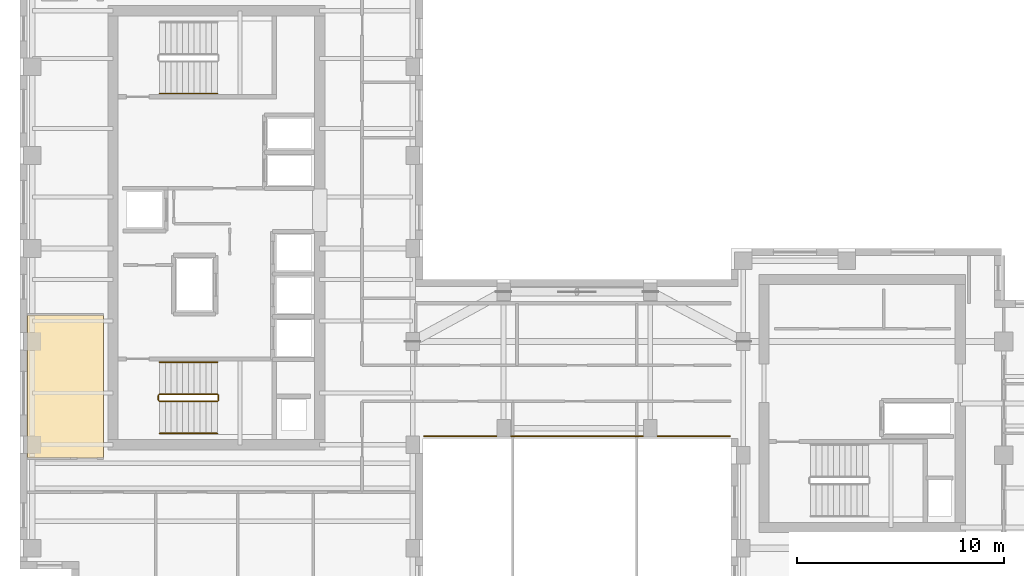
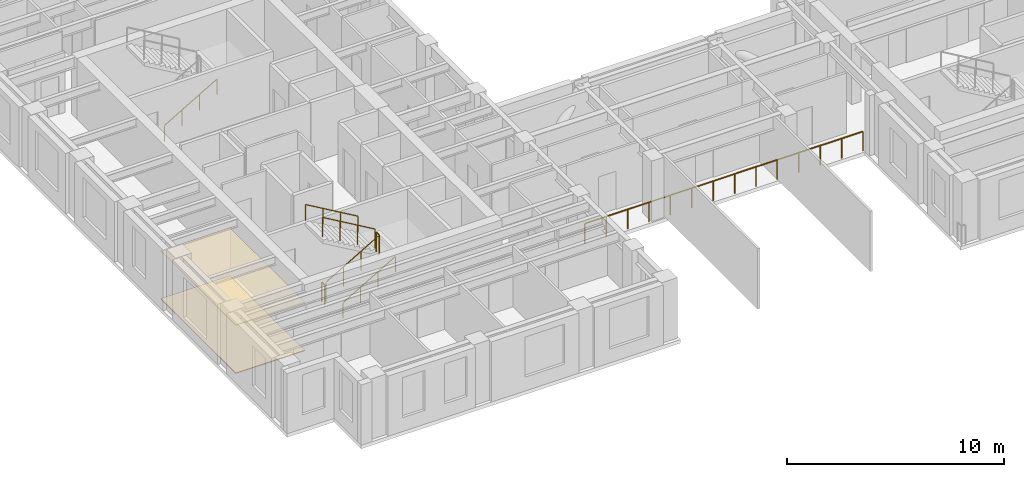
# One storey, part 12 of 14: 8 railings, 2 coverings.
"""IFC4 building model written with IfcOpenShell, lengths in metres."""

from ifc_helpers import new_model, si_unit, direction, frame, origin, origin_2d, place, context, subcontext, project, spatial, polyline, circle, outline, extrude, source, transform, mapped, material, layer, layer_set, type_object, element, save


model = new_model("IFC4")

# Units and contexts
model_context = context("Model", 3, precision=1e-05, world=origin(), true_north=direction((0.0, 1.0)))
body_context = subcontext(model_context, "Body", "Model", "MODEL_VIEW")
ifc_project = project(units=[si_unit("LENGTHUNIT", "METRE"), si_unit("AREAUNIT", "SQUARE_METRE"), si_unit("VOLUMEUNIT", "CUBIC_METRE"), si_unit("PLANEANGLEUNIT", "RADIAN"), si_unit("MASSUNIT", "GRAM", prefix="KILO")], contexts=[model_context])

# Site, building, storey
site_placement = place(None, origin())
site = spatial("IfcSite", under=ifc_project, at=site_placement, CompositionType="ELEMENT")
building_placement = place(site_placement, origin())
building = spatial("IfcBuilding", under=site, at=building_placement, Name="Kharzan Plaza Tower", CompositionType="ELEMENT")
storey_placement = place(building_placement, frame((0.0, 0.0, 241.199951171875)))
storey = spatial("IfcBuildingStorey", under=building, at=storey_placement, Name="L65", CompositionType="ELEMENT", Elevation=241.199951171875)

# Coverings
ifc_material_1 = material(Name="Perforated Acoustic Mineral-Fibre Tile", Category="gypsum")
ifc_layer_1 = layer(ifc_material_1, 0.044921875)
ifc_layer_set_1 = layer_set([ifc_layer_1], Name="Perforated Acoustic Mineral-Fibre Tile")
covering_type_1 = type_object("IfcCoveringType", Name="COV-CEIL-ACT", PredefinedType="CEILING", material=ifc_layer_set_1)
covering_1_placement = place(storey_placement, frame((0.0, 0.0, 2.705078125)))
element("IfcCovering", 1, at=covering_1_placement, inside=storey, type_object=covering_type_1, Name="L65 Suspended Acoustic Ceiling RW1", PredefinedType="CEILING", context=body_context, shape_type="SweptSolid", body=[
    extrude(outline(polyline([(0.360107421875, 7.860107421875), (4.0400390625, 7.860107421875), (4.0400390625, 14.7900390625), (0.360107421875, 14.7900390625), (0.360107421875, 7.860107421875)])), origin(), (0.0, 0.0, 1.0), 0.044921875),
])
ifc_material_2 = material(Name="Honed Najran Granite Terrazzo", Category="masonry")
ifc_layer_2 = layer(ifc_material_2, 0.0400390625)
ifc_layer_set_2 = layer_set([ifc_layer_2], Name="Honed Najran Granite Terrazzo")
covering_type_2 = type_object("IfcCoveringType", Name="COV-FLOOR-STN", PredefinedType="FLOORING", material=ifc_layer_set_2)
covering_2_placement = place(storey_placement, origin())
element("IfcCovering", 2, at=covering_2_placement, inside=storey, type_object=covering_type_2, Name="L65 Honed Granite Terrazzo Flooring RW1", PredefinedType="FLOORING", context=body_context, shape_type="SweptSolid", body=[
    extrude(outline(polyline([(0.360107421875, 7.860107421875), (4.0400390625, 7.860107421875), (4.0400390625, 14.7900390625), (0.360107421875, 14.7900390625), (0.360107421875, 7.860107421875)])), origin(), (0.0, 0.0, 1.0), 0.0400390625),
])

# Railings
ifc_material_3 = material(Name="Painted Galvanized Architectural Steel", Category="steel")
ifc_layer_3 = layer(ifc_material_3, 0.074951171875)
ifc_layer_set_3 = layer_set([ifc_layer_3], Name="Painted Galvanized Architectural Steel")
railing_type_1 = type_object("IfcRailingType", Name="RL-GUARD-1120", PredefinedType="BALUSTRADE", material=ifc_layer_set_3)
shared_shape_1 = source(origin(), body_context, "Body", "SweptSolid", [
    extrude(circle(Radius=0.02392578125, at=origin_2d()), frame((0.0, 0.0263671875, 1.09619140625), z_axis=(0.0, 1.0, 0.0), x_axis=(-1.0, 0.0, 0.0)), (0.0, 0.0, 1.0), 0.197021484375),
    extrude(circle(Radius=0.02099609375, at=origin_2d()), origin(), (0.0, 0.0, 1.0), 1.072021484375),
    extrude(circle(Radius=0.02099609375, at=origin_2d()), frame((0.0, 0.25, 0.0)), (0.0, 0.0, 1.0), 1.072021484375),
])
for number, where, name in (
    (3, (9.60009765625, 10.64990234375, 1.800048828125), "L65 ST-1 stair guard 2"),
    (4, (6.699951171875, 10.64990234375, 0.0), "L65 ST-1 stair guard 4"),
):
    element("IfcRailing", number, at=place(storey_placement, frame(where)), inside=storey, type_object=railing_type_1, Name=name, PredefinedType="BALUSTRADE", context=body_context, shape_type="MappedRepresentation", body=[
        mapped(shared_shape_1, transform((0.0, 0.0, 0.0), x_axis=(1.0, 0.0, 0.0), y_axis=(0.0, 1.0, 0.0), z_axis=(0.0, 0.0, 1.0))),
    ])
shared_shape_2 = source(origin(), body_context, "Body", "SweptSolid", [
    extrude(circle(Radius=0.02392578125, at=origin_2d()), frame((0.02294921875, 0.0, 1.109375), z_axis=(0.863360870873, 0.0, 0.504586966384), x_axis=(0.0, 1.0, 0.0)), (0.0, 0.0, 1.0), 3.190185546875),
    extrude(circle(Radius=0.02099609375, at=origin_2d()), origin(), (0.0, 0.0, 1.0), 1.072021484375),
    extrude(circle(Radius=0.02099609375, at=origin_2d()), frame((0.933349609375, 0.0, 0.54541015625)), (0.0, 0.0, 1.0), 1.072021484375),
    extrude(circle(Radius=0.02099609375, at=origin_2d()), frame((1.86669921875, 0.0, 1.091064453125)), (0.0, 0.0, 1.0), 1.072021484375),
    extrude(circle(Radius=0.02099609375, at=origin_2d()), frame((2.800048828125, 0.0, 1.636474609375)), (0.0, 0.0, 1.0), 1.072021484375),
])
railing_1_placement = place(storey_placement, frame((6.75, 10.60009765625, 0.16357421875)))
element("IfcRailing", 5, at=railing_1_placement, inside=storey, type_object=railing_type_1, Name="L65 ST-1 stair guard 1", PredefinedType="BALUSTRADE", context=body_context, shape_type="MappedRepresentation", body=[
    mapped(shared_shape_2, transform((0.0, 0.0, 0.0), x_axis=(1.0, 0.0, 0.0), y_axis=(0.0, 1.0, 0.0), z_axis=(0.0, 0.0, 1.0))),
])
shared_shape_3 = source(origin(), body_context, "Body", "SweptSolid", [
    extrude(circle(Radius=0.02392578125, at=origin_2d()), frame((-0.02294921875, 0.0, 1.109375), z_axis=(-0.863360870873, 0.0, 0.504586966384), x_axis=(0.0, -1.0, 0.0)), (0.0, 0.0, 1.0), 3.190185546875),
    extrude(circle(Radius=0.02099609375, at=origin_2d()), origin(), (0.0, 0.0, 1.0), 1.072021484375),
    extrude(circle(Radius=0.02099609375, at=origin_2d()), frame((-0.933349609375, 0.0, 0.54541015625)), (0.0, 0.0, 1.0), 1.072021484375),
    extrude(circle(Radius=0.02099609375, at=origin_2d()), frame((-1.86669921875, 0.0, 1.091064453125)), (0.0, 0.0, 1.0), 1.072021484375),
    extrude(circle(Radius=0.02099609375, at=origin_2d()), frame((-2.800048828125, 0.0, 1.636474609375)), (0.0, 0.0, 1.0), 1.072021484375),
])
railing_2_placement = place(storey_placement, frame((9.550048828125, 10.949951171875, 1.963623046875)))
element("IfcRailing", 6, at=railing_2_placement, inside=storey, type_object=railing_type_1, Name="L65 ST-1 stair guard 3", PredefinedType="BALUSTRADE", context=body_context, shape_type="MappedRepresentation", body=[
    mapped(shared_shape_3, transform((0.0, 0.0, 0.0), x_axis=(1.0, 0.0, 0.0), y_axis=(0.0, 1.0, 0.0), z_axis=(0.0, 0.0, 1.0))),
])
ifc_material_4 = material(Name="Brushed Stainless Steel", Category="steel")
ifc_layer_4 = layer(ifc_material_4, 0.050048828125)
ifc_layer_set_4 = layer_set([ifc_layer_4], Name="Brushed Stainless Steel")
railing_type_2 = type_object("IfcRailingType", Name="RL-STAIR-HR920", PredefinedType="HANDRAIL", material=ifc_layer_set_4)
shared_shape_4 = source(origin(), body_context, "Body", "SweptSolid", [
    extrude(circle(Radius=0.02392578125, at=origin_2d()), frame((0.02294921875, 0.0, 0.88916015625), z_axis=(0.863360870873, 0.0, 0.504586966384), x_axis=(0.0, 1.0, 0.0)), (0.0, 0.0, 1.0), 3.190185546875),
    extrude(circle(Radius=0.02099609375, at=origin_2d()), origin(), (0.0, 0.0, 1.0), 0.851806640625),
    extrude(circle(Radius=0.02099609375, at=origin_2d()), frame((0.933349609375, 0.0, 0.54541015625)), (0.0, 0.0, 1.0), 0.851806640625),
    extrude(circle(Radius=0.02099609375, at=origin_2d()), frame((1.86669921875, 0.0, 1.091064453125)), (0.0, 0.0, 1.0), 0.851806640625),
    extrude(circle(Radius=0.02099609375, at=origin_2d()), frame((2.800048828125, 0.0, 1.636474609375)), (0.0, 0.0, 1.0), 0.851806640625),
])
for number, where, name in (
    (7, (6.75, 9.050048828125, 0.16357421875), "L65 ST-1 stair handrail 1"),
    (8, (6.75, 25.5, 0.16357421875), "L65 ST-2 stair handrail 1"),
):
    element("IfcRailing", number, at=place(storey_placement, frame(where)), inside=storey, type_object=railing_type_2, Name=name, PredefinedType="HANDRAIL", context=body_context, shape_type="MappedRepresentation", body=[
        mapped(shared_shape_4, transform((0.0, 0.0, 0.0), x_axis=(1.0, 0.0, 0.0), y_axis=(0.0, 1.0, 0.0), z_axis=(0.0, 0.0, 1.0))),
    ])
shared_shape_5 = source(origin(), body_context, "Body", "SweptSolid", [
    extrude(circle(Radius=0.02392578125, at=origin_2d()), frame((-0.02294921875, 0.0, 0.88916015625), z_axis=(-0.863360870873, 0.0, 0.504586966384), x_axis=(0.0, -1.0, 0.0)), (0.0, 0.0, 1.0), 3.190185546875),
    extrude(circle(Radius=0.02099609375, at=origin_2d()), origin(), (0.0, 0.0, 1.0), 0.851806640625),
    extrude(circle(Radius=0.02099609375, at=origin_2d()), frame((-0.933349609375, 0.0, 0.54541015625)), (0.0, 0.0, 1.0), 0.851806640625),
    extrude(circle(Radius=0.02099609375, at=origin_2d()), frame((-1.86669921875, 0.0, 1.091064453125)), (0.0, 0.0, 1.0), 0.851806640625),
    extrude(circle(Radius=0.02099609375, at=origin_2d()), frame((-2.800048828125, 0.0, 1.636474609375)), (0.0, 0.0, 1.0), 0.851806640625),
])
railing_3_placement = place(storey_placement, frame((9.550048828125, 12.5, 1.963623046875)))
element("IfcRailing", 9, at=railing_3_placement, inside=storey, type_object=railing_type_2, Name="L65 ST-1 stair handrail 2", PredefinedType="HANDRAIL", context=body_context, shape_type="MappedRepresentation", body=[
    mapped(shared_shape_5, transform((0.0, 0.0, 0.0), x_axis=(1.0, 0.0, 0.0), y_axis=(0.0, 1.0, 0.0), z_axis=(0.0, 0.0, 1.0))),
])
shared_shape_6 = source(origin(), body_context, "Body", "SweptSolid", [
    extrude(circle(Radius=0.02392578125, at=origin_2d()), frame((0.0263671875, 0.0, 1.09619140625), z_axis=(1.0, 0.0, 0.0), x_axis=(0.0, 1.0, 0.0)), (0.0, 0.0, 1.0), 14.7470703125),
    extrude(circle(Radius=0.02099609375, at=origin_2d()), origin(), (0.0, 0.0, 1.0), 1.072021484375),
    extrude(circle(Radius=0.02099609375, at=origin_2d()), frame((1.138427734375, 0.0, 0.0)), (0.0, 0.0, 1.0), 1.072021484375),
    extrude(circle(Radius=0.02099609375, at=origin_2d()), frame((2.27685546875, 0.0, 0.0)), (0.0, 0.0, 1.0), 1.072021484375),
    extrude(circle(Radius=0.02099609375, at=origin_2d()), frame((3.415283203125, 0.0, 0.0)), (0.0, 0.0, 1.0), 1.072021484375),
    extrude(circle(Radius=0.02099609375, at=origin_2d()), frame((4.553955078125, 0.0, 0.0)), (0.0, 0.0, 1.0), 1.072021484375),
    extrude(circle(Radius=0.02099609375, at=origin_2d()), frame((5.6923828125, 0.0, 0.0)), (0.0, 0.0, 1.0), 1.072021484375),
    extrude(circle(Radius=0.02099609375, at=origin_2d()), frame((6.830810546875, 0.0, 0.0)), (0.0, 0.0, 1.0), 1.072021484375),
    extrude(circle(Radius=0.02099609375, at=origin_2d()), frame((7.96923828125, 0.0, 0.0)), (0.0, 0.0, 1.0), 1.072021484375),
    extrude(circle(Radius=0.02099609375, at=origin_2d()), frame((9.107666015625, 0.0, 0.0)), (0.0, 0.0, 1.0), 1.072021484375),
    extrude(circle(Radius=0.02099609375, at=origin_2d()), frame((10.24609375, 0.0, 0.0)), (0.0, 0.0, 1.0), 1.072021484375),
    extrude(circle(Radius=0.02099609375, at=origin_2d()), frame((11.384765625, 0.0, 0.0)), (0.0, 0.0, 1.0), 1.072021484375),
    extrude(circle(Radius=0.02099609375, at=origin_2d()), frame((12.523193359375, 0.0, 0.0)), (0.0, 0.0, 1.0), 1.072021484375),
    extrude(circle(Radius=0.02099609375, at=origin_2d()), frame((13.66162109375, 0.0, 0.0)), (0.0, 0.0, 1.0), 1.072021484375),
    extrude(circle(Radius=0.02099609375, at=origin_2d()), frame((14.800048828125, 0.0, 0.0)), (0.0, 0.0, 1.0), 1.072021484375),
])
railing_4_placement = place(storey_placement, frame((19.550048828125, 8.919921875, 0.0)))
element("IfcRailing", 10, at=railing_4_placement, inside=storey, type_object=railing_type_1, Name="L65 Wind-Turbine Slot Portal Safety Guard", PredefinedType="BALUSTRADE", context=body_context, shape_type="MappedRepresentation", body=[
    mapped(shared_shape_6, transform((0.0, 0.0, 0.0), x_axis=(1.0, 0.0, 0.0), y_axis=(0.0, 1.0, 0.0), z_axis=(0.0, 0.0, 1.0))),
])

save(model, "model.ifc")
